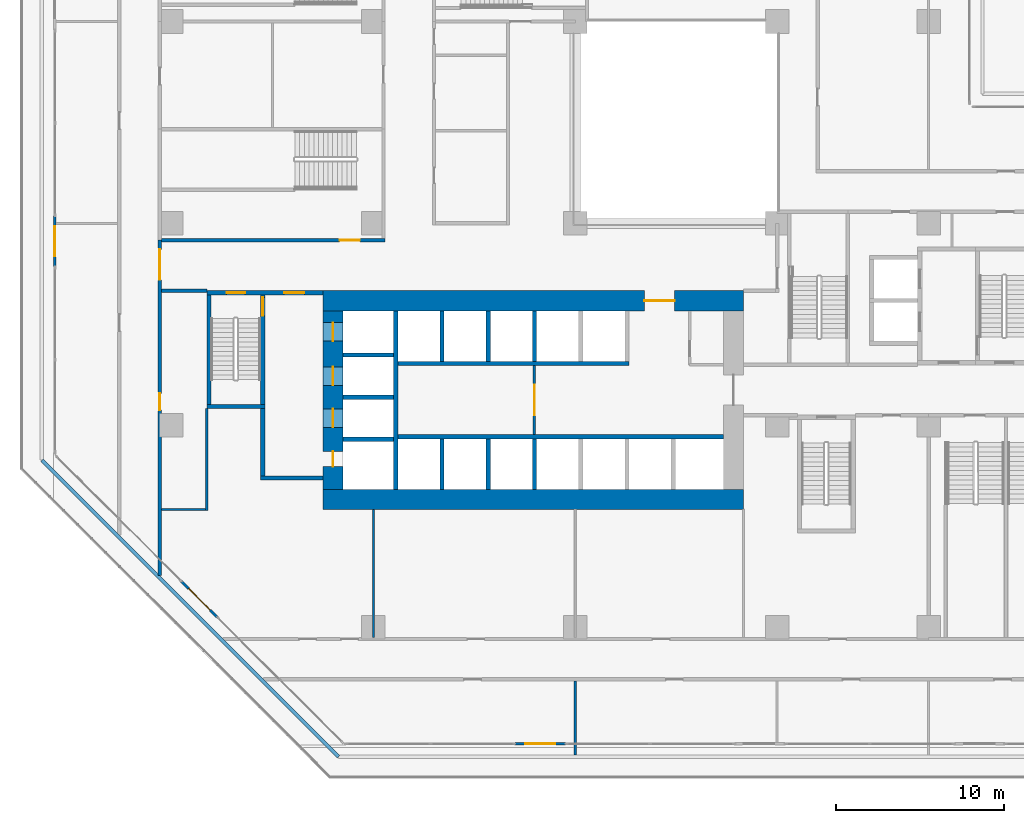
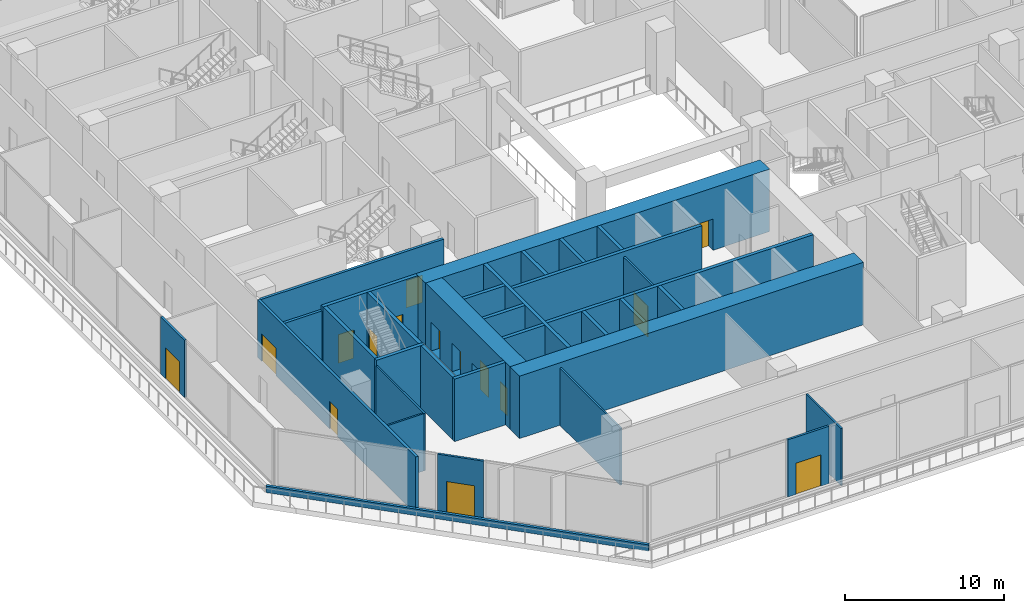
# One storey, part 11 of 25: 33 walls, 15 doors, 15 openings.
"""IFC4 building model written with IfcOpenShell, lengths in metres."""

from ifc_helpers import new_model, si_unit, direction, frame, frame_2d, origin, place, context, subcontext, project, spatial, rectangle, extrude, material, layer, layer_set, type_object, element, fill, save


model = new_model("IFC4")

# Units and contexts
model_context = context("Model", 3, precision=1e-05, world=origin(), true_north=direction((0.0, 1.0)))
body_context = subcontext(model_context, "Body", "Model", "MODEL_VIEW")
ifc_project = project(units=[si_unit("LENGTHUNIT", "METRE"), si_unit("AREAUNIT", "SQUARE_METRE"), si_unit("VOLUMEUNIT", "CUBIC_METRE"), si_unit("PLANEANGLEUNIT", "RADIAN"), si_unit("MASSUNIT", "GRAM", prefix="KILO")], contexts=[model_context])

# Site, building, storey
site_placement = place(None, origin())
site = spatial("IfcSite", under=ifc_project, at=site_placement, CompositionType="ELEMENT")
building_placement = place(site_placement, origin())
building = spatial("IfcBuilding", under=site, at=building_placement, Name="Chenar Terraces", CompositionType="ELEMENT")
storey_placement = place(building_placement, frame((0.0, 0.0, 21.60009765625)))
storey = spatial("IfcBuildingStorey", under=building, at=storey_placement, Name="L04", CompositionType="ELEMENT", Elevation=21.60009765625)

# Walls
ifc_material_1 = material(Name="Gypsum board on steel studs with mineral wool", Category="steel")
ifc_layer_1 = layer(ifc_material_1, 0.125)
ifc_layer_set_1 = layer_set([ifc_layer_1], Name="Gypsum board on steel studs with mineral wool")
wall_type_1 = type_object("IfcWallType", Name="Acoustic partition 125", PredefinedType="PARTITIONING", material=ifc_layer_set_1)
wall_1_placement = place(storey_placement, frame((-0.60009765625, 7.0, 0.0), z_axis=(0.0, 0.0, 1.0), x_axis=(1.0, 0.0, 0.0)))
element("IfcWall", 1, at=wall_1_placement, inside=storey, type_object=wall_type_1, Name="Partition L04-016", PredefinedType="PARTITIONING", context=body_context, shape_type="SweptSolid", body=[
    extrude(rectangle(XDim=2.63818359375, YDim=0.125, at=frame_2d((1.319091796875, 0.0))), origin(), (0.0, 0.0, 1.0), 4.39990234375),
])
wall_2_placement = place(storey_placement, frame((2.10009765625, 6.93798828125, 0.0), z_axis=(0.0, 0.0, 1.0), x_axis=(0.0, 1.0, 0.0)))
element("IfcWall", 2, at=wall_2_placement, inside=storey, type_object=wall_type_1, Name="Partition L04-028", PredefinedType="PARTITIONING", context=body_context, shape_type="SweptSolid", body=[
    extrude(rectangle(XDim=6.06201171875, YDim=0.125, at=frame_2d((3.031005859375, 0.0))), origin(), (0.0, 0.0, 1.0), 4.39990234375),
])
wall_3_placement = place(storey_placement, frame((12.0, -0.60009765625, 0.0), z_axis=(0.0, 0.0, 1.0), x_axis=(0.0, 1.0, 0.0)))
element("IfcWall", 3, at=wall_3_placement, inside=storey, type_object=wall_type_1, Name="Partition L04-036", PredefinedType="PARTITIONING", context=body_context, shape_type="SweptSolid", body=[
    extrude(rectangle(XDim=7.60009765625, YDim=0.125, at=frame_2d((3.800048828125, 0.0))), origin(), (0.0, 0.0, 1.0), 4.39990234375),
])
wall_4_placement = place(storey_placement, frame((24.0, -7.60009765625, 0.0), z_axis=(0.0, 0.0, 1.0), x_axis=(0.0, 1.0, 0.0)))
element("IfcWall", 4, at=wall_4_placement, inside=storey, type_object=wall_type_1, Name="Partition L04-062", PredefinedType="PARTITIONING", context=body_context, shape_type="SweptSolid", body=[
    extrude(rectangle(XDim=4.400146484375, YDim=0.125, at=frame_2d((2.2001953125, 0.0))), origin(), (0.0, 0.0, 1.0), 4.39990234375),
])

# Wall, opening, door
ifc_material_2 = material(Name="Gypsum board on steel studs", Category="steel")
ifc_layer_2 = layer(ifc_material_2, 0.14990234375)
ifc_layer_set_2 = layer_set([ifc_layer_2], Name="Gypsum board on steel studs")
wall_type_2 = type_object("IfcWallType", Name="Core partition 150 gypsum board", PredefinedType="PARTITIONING", material=ifc_layer_set_2)
wall_5_placement = place(storey_placement, frame((21.574951171875, 11.449951171875, 0.0), z_axis=(0.0, 0.0, 1.0), x_axis=(0.0, 1.0, 0.0)))
wall_5 = element("IfcWall", 5, at=wall_5_placement, inside=storey, type_object=wall_type_2, Name="Core partition CP1 lift lobby smoke stop", PredefinedType="PARTITIONING", context=body_context, shape_type="SweptSolid", body=[
    extrude(rectangle(XDim=4.10009765625, YDim=0.14990234375, at=frame_2d((2.050048828125, 0.0))), origin(), (0.0, 0.0, 1.0), 4.39990234375),
])
opening_1_placement = place(wall_5_placement, frame((1.14990234375, 0.0, 0.0)))
opening_1 = element("IfcOpeningElement", 6, at=opening_1_placement, cuts=wall_5, Name="Opening DL04-C12", PredefinedType="OPENING", context=body_context, shape_type="SweptSolid", body=[
    extrude(rectangle(XDim=1.800048828125, YDim=2.39990234375, at=frame_2d((0.89990234375, 1.199951171875))), frame((0.0, 0.0849609375, 0.0), z_axis=(0.0, -1.0, 0.0), x_axis=(1.0, 0.0, 0.0)), (0.0, 0.0, 1.0), 0.169921875),
])
ifc_material_3 = material(Name="Steel-framed fire-resisting door leaf", Category="steel")
door_type_1 = type_object("IfcDoorType", Name="Core entrance double fire door FD60 1800 x 2400", OperationType="DOUBLE_DOOR_SINGLE_SWING", PredefinedType="DOOR", material=ifc_material_3)
door_1_placement = place(opening_1_placement, frame((1.800048828125, 0.0, 0.0), z_axis=(0.0, 0.0, 1.0), x_axis=(-1.0, 0.0, 0.0)))
door_1 = element("IfcDoor", 7, at=door_1_placement, inside=storey, type_object=door_type_1, Name="Core door DL04-C12", OperationType="DOUBLE_DOOR_SINGLE_SWING", OverallHeight=2.39990234375, OverallWidth=1.800048828125, PredefinedType="DOOR", context=body_context, shape_type="SweptSolid", body=[
    extrude(rectangle(XDim=1.800048828125, YDim=2.39990234375, at=frame_2d((0.89990234375, 1.199951171875))), frame((0.0, 0.02490234375, 0.0), z_axis=(0.0, -1.0, 0.0), x_axis=(1.0, 0.0, 0.0)), (0.0, 0.0, 1.0), 0.050048828125),
])
fill(opening_1, door_1)

# Wall
ifc_material_4 = material(Name="Concrete C70/85", Category="concrete")
ifc_layer_3 = layer(ifc_material_4, 1.199951171875)
ifc_layer_set_3 = layer_set([ifc_layer_3], Name="Concrete C70/85")
wall_type_3 = type_object("IfcWallType", Name="Core wall 1200 Concrete C70/85", PredefinedType="SHEAR", material=ifc_layer_set_3)
wall_6_placement = place(storey_placement, frame((9.0, 7.60009765625, 0.0), z_axis=(0.0, 0.0, 1.0), x_axis=(1.0, 0.0, 0.0)))
element("IfcWall", 8, at=wall_6_placement, inside=storey, type_object=wall_type_3, Name="Core wall S L04", PredefinedType="SHEAR", context=body_context, shape_type="SweptSolid", body=[
    extrude(rectangle(XDim=25.0, YDim=1.199951171875, at=frame_2d((12.5, 0.0))), origin(), (0.0, 0.0, 1.0), 4.7998046875),
])

# Wall, opening, door
wall_7_placement = place(storey_placement, frame((9.0, 19.39990234375, 0.0), z_axis=(0.0, 0.0, 1.0), x_axis=(1.0, 0.0, 0.0)))
wall_7 = element("IfcWall", 9, at=wall_7_placement, inside=storey, type_object=wall_type_3, Name="Core wall N L04", PredefinedType="SHEAR", context=body_context, shape_type="SweptSolid", body=[
    extrude(rectangle(XDim=25.0, YDim=1.199951171875, at=frame_2d((12.5, 0.0))), origin(), (0.0, 0.0, 1.0), 4.7998046875),
])
opening_2_placement = place(wall_7_placement, frame((19.10009765625, 0.0, 0.0)))
opening_2 = element("IfcOpeningElement", 10, at=opening_2_placement, cuts=wall_7, Name="Opening DL04-C2", PredefinedType="OPENING", context=body_context, shape_type="SweptSolid", body=[
    extrude(rectangle(XDim=1.800048828125, YDim=2.39990234375, at=frame_2d((0.89990234375, 1.199951171875))), frame((0.0, 0.60986328125, 0.0), z_axis=(0.0, -1.0, 0.0), x_axis=(1.0, 0.0, 0.0)), (0.0, 0.0, 1.0), 1.219970703125),
])
door_2_placement = place(opening_2_placement, frame((1.800048828125, 0.0, 0.0), z_axis=(0.0, 0.0, 1.0), x_axis=(-1.0, 0.0, 0.0)))
door_2 = element("IfcDoor", 11, at=door_2_placement, inside=storey, type_object=door_type_1, Name="Core door DL04-C2", OperationType="DOUBLE_DOOR_SINGLE_SWING", OverallHeight=2.39990234375, OverallWidth=1.800048828125, PredefinedType="DOOR", context=body_context, shape_type="SweptSolid", body=[
    extrude(rectangle(XDim=1.800048828125, YDim=2.39990234375, at=frame_2d((0.89990234375, 1.199951171875))), frame((0.0, 0.02490234375, 0.0), z_axis=(0.0, -1.0, 0.0), x_axis=(1.0, 0.0, 0.0)), (0.0, 0.0, 1.0), 0.050048828125),
])
fill(opening_2, door_2)

# Wall, openings, doors
wall_8_placement = place(storey_placement, frame((9.60009765625, 8.199951171875, 0.0), z_axis=(0.0, 0.0, 1.0), x_axis=(0.0, 1.0, 0.0)))
wall_8 = element("IfcWall", 12, at=wall_8_placement, inside=storey, type_object=wall_type_3, Name="Core wall W L04", PredefinedType="SHEAR", context=body_context, shape_type="SweptSolid", body=[
    extrude(rectangle(XDim=10.60009765625, YDim=1.199951171875, at=frame_2d((5.300048828125, 0.0))), origin(), (0.0, 0.0, 1.0), 4.7998046875),
])
opening_3_placement = place(wall_8_placement, frame((3.675048828125, 0.0, 0.0)))
opening_3 = element("IfcOpeningElement", 13, at=opening_3_placement, cuts=wall_8, Name="Opening DL04-LD1", PredefinedType="OPENING", context=body_context, shape_type="SweptSolid", body=[
    extrude(rectangle(XDim=1.10009765625, YDim=2.199951171875, at=frame_2d((0.550048828125, 1.10009765625))), frame((0.0, 0.60986328125, 0.0), z_axis=(0.0, -1.0, 0.0), x_axis=(1.0, 0.0, 0.0)), (0.0, 0.0, 1.0), 1.219970703125),
])
opening_4_placement = place(wall_8_placement, frame((6.175048828125, 0.0, 0.0)))
opening_4 = element("IfcOpeningElement", 14, at=opening_4_placement, cuts=wall_8, Name="Opening DL04-LD2", PredefinedType="OPENING", context=body_context, shape_type="SweptSolid", body=[
    extrude(rectangle(XDim=1.10009765625, YDim=2.199951171875, at=frame_2d((0.550048828125, 1.10009765625))), frame((0.0, 0.60986328125, 0.0), z_axis=(0.0, -1.0, 0.0), x_axis=(1.0, 0.0, 0.0)), (0.0, 0.0, 1.0), 1.219970703125),
])
opening_5_placement = place(wall_8_placement, frame((8.800048828125, 0.0, 0.0)))
opening_5 = element("IfcOpeningElement", 15, at=opening_5_placement, cuts=wall_8, Name="Opening DL04-LD3", PredefinedType="OPENING", context=body_context, shape_type="SweptSolid", body=[
    extrude(rectangle(XDim=1.10009765625, YDim=2.199951171875, at=frame_2d((0.550048828125, 1.10009765625))), frame((0.0, 0.60986328125, 0.0), z_axis=(0.0, -1.0, 0.0), x_axis=(1.0, 0.0, 0.0)), (0.0, 0.0, 1.0), 1.219970703125),
])
opening_6_placement = place(wall_8_placement, frame((1.35009765625, 0.0, 0.0)))
opening_6 = element("IfcOpeningElement", 16, at=opening_6_placement, cuts=wall_8, Name="Opening DL04-C4", PredefinedType="OPENING", context=body_context, shape_type="SweptSolid", body=[
    extrude(rectangle(XDim=0.89990234375, YDim=2.10009765625, at=frame_2d((0.449951171875, 1.050048828125))), frame((0.0, 0.60986328125, 0.0), z_axis=(0.0, -1.0, 0.0), x_axis=(1.0, 0.0, 0.0)), (0.0, 0.0, 1.0), 1.219970703125),
])
ifc_material_5 = material(Name="Stainless steel", Category="steel")
door_type_2 = type_object("IfcDoorType", Name="Lift landing door 1100 x 2200 sliding", OperationType="DOUBLE_DOOR_SLIDING", PredefinedType="DOOR", material=ifc_material_5)
door_3_placement = place(opening_3_placement, origin())
door_3 = element("IfcDoor", 17, at=door_3_placement, inside=storey, type_object=door_type_2, Name="Landing door S1", OperationType="DOUBLE_DOOR_SLIDING", OverallHeight=2.199951171875, OverallWidth=1.10009765625, PredefinedType="DOOR", context=body_context, shape_type="SweptSolid", body=[
    extrude(rectangle(XDim=1.10009765625, YDim=2.199951171875, at=frame_2d((0.550048828125, 1.10009765625))), frame((0.0, 0.02490234375, 0.0), z_axis=(0.0, -1.0, 0.0), x_axis=(1.0, 0.0, 0.0)), (0.0, 0.0, 1.0), 0.050048828125),
])
fill(opening_3, door_3)
door_4_placement = place(opening_4_placement, origin())
door_4 = element("IfcDoor", 18, at=door_4_placement, inside=storey, type_object=door_type_2, Name="Landing door F1", OperationType="DOUBLE_DOOR_SLIDING", OverallHeight=2.199951171875, OverallWidth=1.10009765625, PredefinedType="DOOR", context=body_context, shape_type="SweptSolid", body=[
    extrude(rectangle(XDim=1.10009765625, YDim=2.199951171875, at=frame_2d((0.550048828125, 1.10009765625))), frame((0.0, 0.02490234375, 0.0), z_axis=(0.0, -1.0, 0.0), x_axis=(1.0, 0.0, 0.0)), (0.0, 0.0, 1.0), 0.050048828125),
])
fill(opening_4, door_4)
door_5_placement = place(opening_5_placement, origin())
door_5 = element("IfcDoor", 19, at=door_5_placement, inside=storey, type_object=door_type_2, Name="Landing door F2", OperationType="DOUBLE_DOOR_SLIDING", OverallHeight=2.199951171875, OverallWidth=1.10009765625, PredefinedType="DOOR", context=body_context, shape_type="SweptSolid", body=[
    extrude(rectangle(XDim=1.10009765625, YDim=2.199951171875, at=frame_2d((0.550048828125, 1.10009765625))), frame((0.0, 0.02490234375, 0.0), z_axis=(0.0, -1.0, 0.0), x_axis=(1.0, 0.0, 0.0)), (0.0, 0.0, 1.0), 0.050048828125),
])
fill(opening_5, door_5)
ifc_material_6 = material(Name="Steel-framed fire-resisting door leaf", Category="steel")
door_type_3 = type_object("IfcDoorType", Name="Riser fire door FD60 900 x 2100", OperationType="SINGLE_SWING_LEFT", PredefinedType="DOOR", material=ifc_material_6)
door_6_placement = place(opening_6_placement, frame((0.89990234375, 0.0, 0.0), z_axis=(0.0, 0.0, 1.0), x_axis=(-1.0, 0.0, 0.0)))
door_6 = element("IfcDoor", 20, at=door_6_placement, inside=storey, type_object=door_type_3, Name="Riser door DL04-C4", OperationType="SINGLE_SWING_RIGHT", OverallHeight=2.10009765625, OverallWidth=0.89990234375, PredefinedType="DOOR", context=body_context, shape_type="SweptSolid", body=[
    extrude(rectangle(XDim=0.89990234375, YDim=2.10009765625, at=frame_2d((0.449951171875, 1.050048828125))), frame((0.0, 0.02490234375, 0.0), z_axis=(0.0, -1.0, 0.0), x_axis=(1.0, 0.0, 0.0)), (0.0, 0.0, 1.0), 0.050048828125),
])
fill(opening_6, door_6)

# Walls
ifc_material_7 = material(Name="Concrete C70/85", Category="concrete")
ifc_layer_4 = layer(ifc_material_7, 0.25)
ifc_layer_set_4 = layer_set([ifc_layer_4], Name="Concrete C70/85")
wall_type_4 = type_object("IfcWallType", Name="Core wall 250 Concrete C70/85", PredefinedType="SHEAR", material=ifc_layer_set_4)
wall_9_placement = place(storey_placement, frame((13.324951171875, 8.199951171875, 0.0), z_axis=(0.0, 0.0, 1.0), x_axis=(0.0, 1.0, 0.0)))
element("IfcWall", 21, at=wall_9_placement, inside=storey, type_object=wall_type_4, Name="Core wall WI L04", PredefinedType="SHEAR", context=body_context, shape_type="SweptSolid", body=[
    extrude(rectangle(XDim=10.60009765625, YDim=0.25, at=frame_2d((5.300048828125, 0.0))), origin(), (0.0, 0.0, 1.0), 4.7998046875),
])
wall_10_placement = place(storey_placement, frame((13.449951171875, 11.324951171875, 0.0), z_axis=(0.0, 0.0, 1.0), x_axis=(1.0, 0.0, 0.0)))
element("IfcWall", 22, at=wall_10_placement, inside=storey, type_object=wall_type_4, Name="Core wall SF L04", PredefinedType="SHEAR", context=body_context, shape_type="SweptSolid", body=[
    extrude(rectangle(XDim=19.35009765625, YDim=0.25, at=frame_2d((9.675048828125, 0.0))), origin(), (0.0, 0.0, 1.0), 4.7998046875),
])
wall_11_placement = place(storey_placement, frame((13.449951171875, 15.675048828125, 0.0), z_axis=(0.0, 0.0, 1.0), x_axis=(1.0, 0.0, 0.0)))
element("IfcWall", 23, at=wall_11_placement, inside=storey, type_object=wall_type_4, Name="Core wall NF L04", PredefinedType="SHEAR", context=body_context, shape_type="SweptSolid", body=[
    extrude(rectangle(XDim=13.75, YDim=0.25, at=frame_2d((6.875, 0.0))), origin(), (0.0, 0.0, 1.0), 4.7998046875),
])
for number, where, z_axis, x_axis, name in (
    (24, (10.199951171875, 11.175048828125, 0.0), (0.0, 0.0, 1.0), (1.0, 0.0, 0.0), "Core wall HW0 L04"),
    (25, (10.199951171875, 13.675048828125, 0.0), (0.0, 0.0, 1.0), (1.0, 0.0, 0.0), "Core wall HW1 L04"),
    (26, (10.199951171875, 16.175048828125, 0.0), (0.0, 0.0, 1.0), (1.0, 0.0, 0.0), "Core wall HW2 L04"),
    (27, (16.074951171875, 8.199951171875, 0.0), (0.0, 0.0, 1.0), (0.0, 1.0, 0.0), "Core wall SS0 L04"),
    (28, (18.824951171875, 8.199951171875, 0.0), (0.0, 0.0, 1.0), (0.0, 1.0, 0.0), "Core wall SS1 L04"),
    (29, (21.574951171875, 8.199951171875, 0.0), (0.0, 0.0, 1.0), (0.0, 1.0, 0.0), "Core wall SS2 L04"),
    (30, (16.074951171875, 15.800048828125, 0.0), (0.0, 0.0, 1.0), (0.0, 1.0, 0.0), "Core wall NS0 L04"),
    (31, (18.824951171875, 15.800048828125, 0.0), (0.0, 0.0, 1.0), (0.0, 1.0, 0.0), "Core wall NS1 L04"),
    (32, (21.574951171875, 15.800048828125, 0.0), (0.0, 0.0, 1.0), (0.0, 1.0, 0.0), "Core wall NS2 L04"),
):
    element("IfcWall", number, at=place(storey_placement, frame(where, z_axis=z_axis, x_axis=x_axis)), inside=storey, type_object=wall_type_4, Name=name, PredefinedType="SHEAR", context=body_context, shape_type="SweptSolid", body=[
        extrude(rectangle(XDim=3.0, YDim=0.25, at=frame_2d((1.5, 0.0))), origin(), (0.0, 0.0, 1.0), 4.7998046875),
    ])

# Wall, openings, doors
wall_12_placement = place(storey_placement, frame((2.10009765625, 19.875, 0.0), z_axis=(0.0, 0.0, 1.0), x_axis=(1.0, 0.0, 0.0)))
wall_12 = element("IfcWall", 33, at=wall_12_placement, inside=storey, type_object=wall_type_4, Name="Core wall A_N L04", PredefinedType="SHEAR", context=body_context, shape_type="SweptSolid", body=[
    extrude(rectangle(XDim=6.89990234375, YDim=0.25, at=frame_2d((3.449951171875, 0.0))), origin(), (0.0, 0.0, 1.0), 4.7998046875),
])
opening_7_placement = place(wall_12_placement, frame((1.175048828125, 0.0, 0.0)))
opening_7 = element("IfcOpeningElement", 34, at=opening_7_placement, cuts=wall_12, Name="Opening DL04-C5", PredefinedType="OPENING", context=body_context, shape_type="SweptSolid", body=[
    extrude(rectangle(XDim=1.10009765625, YDim=2.199951171875, at=frame_2d((0.550048828125, 1.10009765625))), frame((0.0, 0.135009765625, 0.0), z_axis=(0.0, -1.0, 0.0), x_axis=(1.0, 0.0, 0.0)), (0.0, 0.0, 1.0), 0.27001953125),
])
opening_8_placement = place(wall_12_placement, frame((4.60009765625, 0.0, 0.0)))
opening_8 = element("IfcOpeningElement", 35, at=opening_8_placement, cuts=wall_12, Name="Opening DL04-C6", PredefinedType="OPENING", context=body_context, shape_type="SweptSolid", body=[
    extrude(rectangle(XDim=1.199951171875, YDim=2.199951171875, at=frame_2d((0.60009765625, 1.10009765625))), frame((0.0, 0.135009765625, 0.0), z_axis=(0.0, -1.0, 0.0), x_axis=(1.0, 0.0, 0.0)), (0.0, 0.0, 1.0), 0.27001953125),
])
ifc_material_8 = material(Name="Steel-framed fire-resisting door leaf", Category="steel")
door_type_4 = type_object("IfcDoorType", Name="Lobby fire door FD60 1200 x 2200", OperationType="SINGLE_SWING_LEFT", PredefinedType="DOOR", material=ifc_material_8)
door_7_placement = place(opening_8_placement, frame((1.199951171875, 0.0, 0.0), z_axis=(0.0, 0.0, 1.0), x_axis=(-1.0, 0.0, 0.0)))
door_7 = element("IfcDoor", 36, at=door_7_placement, inside=storey, type_object=door_type_4, Name="Core door DL04-C6", OperationType="SINGLE_SWING_LEFT", OverallHeight=2.199951171875, OverallWidth=1.199951171875, PredefinedType="DOOR", context=body_context, shape_type="SweptSolid", body=[
    extrude(rectangle(XDim=1.199951171875, YDim=2.199951171875, at=frame_2d((0.60009765625, 1.10009765625))), frame((0.0, 0.02490234375, 0.0), z_axis=(0.0, -1.0, 0.0), x_axis=(1.0, 0.0, 0.0)), (0.0, 0.0, 1.0), 0.050048828125),
])
fill(opening_8, door_7)
ifc_material_9 = material(Name="Steel-framed fire-resisting door leaf", Category="steel")
door_type_5 = type_object("IfcDoorType", Name="Stair fire door FD60 1100 x 2200", OperationType="SINGLE_SWING_LEFT", PredefinedType="DOOR", material=ifc_material_9)
door_8_placement = place(opening_7_placement, origin())
door_8 = element("IfcDoor", 37, at=door_8_placement, inside=storey, type_object=door_type_5, Name="Stair door DL04-C5", OperationType="SINGLE_SWING_LEFT", OverallHeight=2.199951171875, OverallWidth=1.10009765625, PredefinedType="DOOR", context=body_context, shape_type="SweptSolid", body=[
    extrude(rectangle(XDim=1.10009765625, YDim=2.199951171875, at=frame_2d((0.550048828125, 1.10009765625))), frame((0.0, 0.02490234375, 0.0), z_axis=(0.0, -1.0, 0.0), x_axis=(1.0, 0.0, 0.0)), (0.0, 0.0, 1.0), 0.050048828125),
])
fill(opening_7, door_8)

# Walls
wall_13_placement = place(storey_placement, frame((2.10009765625, 13.125, 0.0), z_axis=(0.0, 0.0, 1.0), x_axis=(1.0, 0.0, 0.0)))
element("IfcWall", 38, at=wall_13_placement, inside=storey, type_object=wall_type_4, Name="Core wall ST1_S L04", PredefinedType="SHEAR", context=body_context, shape_type="SweptSolid", body=[
    extrude(rectangle(XDim=3.449951171875, YDim=0.25, at=frame_2d((1.72509765625, 0.0))), origin(), (0.0, 0.0, 1.0), 4.7998046875),
])
wall_14_placement = place(storey_placement, frame((2.22509765625, 13.25, 0.0), z_axis=(0.0, 0.0, 1.0), x_axis=(0.0, 1.0, 0.0)))
element("IfcWall", 39, at=wall_14_placement, inside=storey, type_object=wall_type_4, Name="Core wall ST1_W L04", PredefinedType="SHEAR", context=body_context, shape_type="SweptSolid", body=[
    extrude(rectangle(XDim=6.5, YDim=0.25, at=frame_2d((3.25, 0.0))), origin(), (0.0, 0.0, 1.0), 4.7998046875),
])

# Wall, opening, door
wall_15_placement = place(storey_placement, frame((5.425048828125, 13.25, 0.0), z_axis=(0.0, 0.0, 1.0), x_axis=(0.0, 1.0, 0.0)))
wall_15 = element("IfcWall", 40, at=wall_15_placement, inside=storey, type_object=wall_type_4, Name="Core wall ST1_E L04", PredefinedType="SHEAR", context=body_context, shape_type="SweptSolid", body=[
    extrude(rectangle(XDim=6.5, YDim=0.25, at=frame_2d((3.25, 0.0))), origin(), (0.0, 0.0, 1.0), 4.7998046875),
])
opening_9_placement = place(wall_15_placement, frame((5.25, 0.0, 0.0)))
opening_9 = element("IfcOpeningElement", 41, at=opening_9_placement, cuts=wall_15, Name="Opening DL04-C3", PredefinedType="OPENING", context=body_context, shape_type="SweptSolid", body=[
    extrude(rectangle(XDim=1.10009765625, YDim=2.199951171875, at=frame_2d((0.550048828125, 1.10009765625))), frame((0.0, 0.135009765625, 0.0), z_axis=(0.0, -1.0, 0.0), x_axis=(1.0, 0.0, 0.0)), (0.0, 0.0, 1.0), 0.27001953125),
])
door_9_placement = place(opening_9_placement, origin())
door_9 = element("IfcDoor", 42, at=door_9_placement, inside=storey, type_object=door_type_5, Name="Stair door DL04-C3", OperationType="SINGLE_SWING_RIGHT", OverallHeight=2.199951171875, OverallWidth=1.10009765625, PredefinedType="DOOR", context=body_context, shape_type="SweptSolid", body=[
    extrude(rectangle(XDim=1.10009765625, YDim=2.199951171875, at=frame_2d((0.550048828125, 1.10009765625))), frame((0.0, 0.02490234375, 0.0), z_axis=(0.0, -1.0, 0.0), x_axis=(1.0, 0.0, 0.0)), (0.0, 0.0, 1.0), 0.050048828125),
])
fill(opening_9, door_9)

# Walls
wall_16_placement = place(storey_placement, frame((5.300048828125, 8.875, 0.0), z_axis=(0.0, 0.0, 1.0), x_axis=(1.0, 0.0, 0.0)))
element("IfcWall", 43, at=wall_16_placement, inside=storey, type_object=wall_type_4, Name="Core wall FFL_S L04", PredefinedType="SHEAR", context=body_context, shape_type="SweptSolid", body=[
    extrude(rectangle(XDim=3.699951171875, YDim=0.25, at=frame_2d((1.85009765625, 0.0))), origin(), (0.0, 0.0, 1.0), 4.7998046875),
])
wall_17_placement = place(storey_placement, frame((5.425048828125, 9.0, 0.0), z_axis=(0.0, 0.0, 1.0), x_axis=(0.0, 1.0, 0.0)))
element("IfcWall", 44, at=wall_17_placement, inside=storey, type_object=wall_type_4, Name="Core wall FFL_W L04", PredefinedType="SHEAR", context=body_context, shape_type="SweptSolid", body=[
    extrude(rectangle(XDim=4.0, YDim=0.25, at=frame_2d((2.0, 0.0))), origin(), (0.0, 0.0, 1.0), 4.7998046875),
])

# Wall, openings, doors
ifc_material_10 = material(Name="Gypsum board on steel studs with fire boards", Category="steel")
ifc_layer_5 = layer(ifc_material_10, 0.199951171875)
ifc_layer_set_5 = layer_set([ifc_layer_5], Name="Gypsum board on steel studs with fire boards")
wall_type_5 = type_object("IfcWallType", Name="Corridor wall 200", PredefinedType="PARTITIONING", material=ifc_layer_set_5)
wall_18_placement = place(storey_placement, frame((-0.699951171875, 3.0732421875, 0.0), z_axis=(0.0, 0.0, 1.0), x_axis=(0.0, 1.0, 0.0)))
wall_18 = element("IfcWall", 45, at=wall_18_placement, inside=storey, type_object=wall_type_5, Name="Partition L04-007", PredefinedType="PARTITIONING", context=body_context, shape_type="SweptSolid", body=[
    extrude(rectangle(XDim=19.9267578125, YDim=0.199951171875, at=frame_2d((9.96337890625, 0.0))), origin(), (0.0, 0.0, 1.0), 4.39990234375),
])
opening_10_placement = place(wall_18_placement, frame((17.576904296875, 0.0, 0.0)))
opening_10 = element("IfcOpeningElement", 46, at=opening_10_placement, cuts=wall_18, Name="Opening DL04-32", PredefinedType="OPENING", context=body_context, shape_type="SweptSolid", body=[
    extrude(rectangle(XDim=1.800048828125, YDim=2.10009765625, at=frame_2d((0.89990234375, 1.050048828125))), frame((0.0, 0.10986328125, 0.0), z_axis=(0.0, -1.0, 0.0), x_axis=(1.0, 0.0, 0.0)), (0.0, 0.0, 1.0), 0.219970703125),
])
opening_11_placement = place(wall_18_placement, frame((9.826904296875, 0.0, 0.0)))
opening_11 = element("IfcOpeningElement", 47, at=opening_11_placement, cuts=wall_18, Name="Opening DL04-34", PredefinedType="OPENING", context=body_context, shape_type="SweptSolid", body=[
    extrude(rectangle(XDim=1.0, YDim=2.10009765625, at=frame_2d((0.5, 1.050048828125))), frame((0.0, 0.10986328125, 0.0), z_axis=(0.0, -1.0, 0.0), x_axis=(1.0, 0.0, 0.0)), (0.0, 0.0, 1.0), 0.219970703125),
])
ifc_material_11 = material(Name="Steel-framed fire-resisting door leaf", Category="steel")
door_type_6 = type_object("IfcDoorType", Name="Fire door FD60 1000 x 2100", OperationType="SINGLE_SWING_LEFT", PredefinedType="DOOR", material=ifc_material_11)
door_10_placement = place(opening_11_placement, frame((1.0, 0.0, 0.0), z_axis=(0.0, 0.0, 1.0), x_axis=(-1.0, 0.0, 0.0)))
door_10 = element("IfcDoor", 48, at=door_10_placement, inside=storey, type_object=door_type_6, Name="Door DL04-34", OperationType="SINGLE_SWING_RIGHT", OverallHeight=2.10009765625, OverallWidth=1.0, PredefinedType="DOOR", context=body_context, shape_type="SweptSolid", body=[
    extrude(rectangle(XDim=1.0, YDim=2.10009765625, at=frame_2d((0.5, 1.050048828125))), frame((0.0, 0.02490234375, 0.0), z_axis=(0.0, -1.0, 0.0), x_axis=(1.0, 0.0, 0.0)), (0.0, 0.0, 1.0), 0.050048828125),
])
fill(opening_11, door_10)
ifc_material_12 = material(Name="Steel-framed fire-resisting door leaf", Category="steel")
door_type_7 = type_object("IfcDoorType", Name="Fire double door FD60 1800 x 2100", OperationType="DOUBLE_DOOR_SINGLE_SWING", PredefinedType="DOOR", material=ifc_material_12)
door_11_placement = place(opening_10_placement, origin())
door_11 = element("IfcDoor", 49, at=door_11_placement, inside=storey, type_object=door_type_7, Name="Door DL04-32", OperationType="DOUBLE_DOOR_SINGLE_SWING", OverallHeight=2.10009765625, OverallWidth=1.800048828125, PredefinedType="DOOR", context=body_context, shape_type="SweptSolid", body=[
    extrude(rectangle(XDim=1.800048828125, YDim=2.10009765625, at=frame_2d((0.89990234375, 1.050048828125))), frame((0.0, 0.02490234375, 0.0), z_axis=(0.0, -1.0, 0.0), x_axis=(1.0, 0.0, 0.0)), (0.0, 0.0, 1.0), 0.050048828125),
])
fill(opening_10, door_11)

# Wall
wall_19_placement = place(storey_placement, frame((-0.60009765625, 20.0, 0.0), z_axis=(0.0, 0.0, 1.0), x_axis=(1.0, 0.0, 0.0)))
element("IfcWall", 50, at=wall_19_placement, inside=storey, type_object=wall_type_5, Name="Partition L04-017", PredefinedType="PARTITIONING", context=body_context, shape_type="SweptSolid", body=[
    extrude(rectangle(XDim=2.7001953125, YDim=0.199951171875, at=frame_2d((1.35009765625, 0.0))), origin(), (0.0, 0.0, 1.0), 4.39990234375),
])

# Wall, opening, door
ifc_material_13 = material(Name="Aluminium framed glazing", Category="aluminium")
ifc_layer_6 = layer(ifc_material_13, 0.14990234375)
ifc_layer_set_6 = layer_set([ifc_layer_6], Name="Aluminium framed glazing")
wall_type_6 = type_object("IfcWallType", Name="Podium glazed wall 150", PredefinedType="SOLIDWALL", material=ifc_layer_set_6)
wall_20_placement = place(storey_placement, frame((-6.925048828125, 24.435791015625, 0.0), z_axis=(0.0, 0.0, 1.0), x_axis=(0.0, -1.0, 0.0)))
wall_20 = element("IfcWall", 51, at=wall_20_placement, inside=storey, type_object=wall_type_6, Name="Podium glazed wall", PredefinedType="SOLIDWALL", context=body_context, shape_type="SweptSolid", body=[
    extrude(rectangle(XDim=3.0, YDim=0.14990234375, at=frame_2d((1.5, 0.0))), origin(), (0.0, 0.0, 1.0), 4.39990234375),
])
opening_12_placement = place(wall_20_placement, frame((0.60009765625, 0.0, 0.0)))
opening_12 = element("IfcOpeningElement", 52, at=opening_12_placement, cuts=wall_20, Name="Opening DL04-T3", PredefinedType="OPENING", context=body_context, shape_type="SweptSolid", body=[
    extrude(rectangle(XDim=1.800048828125, YDim=2.39990234375, at=frame_2d((0.89990234375, 1.199951171875))), frame((0.0, 0.0849609375, 0.0), z_axis=(0.0, -1.0, 0.0), x_axis=(1.0, 0.0, 0.0)), (0.0, 0.0, 1.0), 0.169921875),
])
ifc_material_14 = material(Name="Low emissivity double glazing, aluminium frame", Category="aluminium")
door_type_8 = type_object("IfcDoorType", Name="Terrace glazed double door 1800 x 2400", OperationType="DOUBLE_DOOR_SINGLE_SWING", PredefinedType="DOOR", material=ifc_material_14)
door_12_placement = place(opening_12_placement, origin())
door_12 = element("IfcDoor", 53, at=door_12_placement, inside=storey, type_object=door_type_8, Name="Terrace glazed door", OperationType="DOUBLE_DOOR_SINGLE_SWING", OverallHeight=2.39990234375, OverallWidth=1.800048828125, PredefinedType="DOOR", context=body_context, shape_type="SweptSolid", body=[
    extrude(rectangle(XDim=1.800048828125, YDim=2.39990234375, at=frame_2d((0.89990234375, 1.199951171875))), frame((0.0, 0.02490234375, 0.0), z_axis=(0.0, -1.0, 0.0), x_axis=(1.0, 0.0, 0.0)), (0.0, 0.0, 1.0), 0.050048828125),
])
fill(opening_12, door_12)

wall_21_placement = place(storey_placement, frame((0.603271484375, 2.724609375, 0.0), z_axis=(0.0, 0.0, 1.0), x_axis=(0.707106781187, -0.707106781187, 0.0)))
wall_21 = element("IfcWall", 54, at=wall_21_placement, inside=storey, type_object=wall_type_6, Name="Podium glazed wall", PredefinedType="SOLIDWALL", context=body_context, shape_type="SweptSolid", body=[
    extrude(rectangle(XDim=3.0, YDim=0.14990234375, at=frame_2d((1.5, 0.0))), origin(), (0.0, 0.0, 1.0), 4.39990234375),
])
opening_13_placement = place(wall_21_placement, frame((0.60009765625, 0.0, 0.0)))
opening_13 = element("IfcOpeningElement", 55, at=opening_13_placement, cuts=wall_21, Name="Opening DL04-T1", PredefinedType="OPENING", context=body_context, shape_type="SweptSolid", body=[
    extrude(rectangle(XDim=1.800048828125, YDim=2.39990234375, at=frame_2d((0.89990234375, 1.199951171875))), frame((0.0, 0.0849609375, 0.0), z_axis=(0.0, -1.0, 0.0), x_axis=(1.0, 0.0, 0.0)), (0.0, 0.0, 1.0), 0.169921875),
])
door_13_placement = place(opening_13_placement, frame((1.800048828125, 0.0, 0.0), z_axis=(0.0, 0.0, 1.0), x_axis=(-1.0, 0.0, 0.0)))
door_13 = element("IfcDoor", 56, at=door_13_placement, inside=storey, type_object=door_type_8, Name="Terrace glazed door", OperationType="DOUBLE_DOOR_SINGLE_SWING", OverallHeight=2.39990234375, OverallWidth=1.800048828125, PredefinedType="DOOR", context=body_context, shape_type="SweptSolid", body=[
    extrude(rectangle(XDim=1.800048828125, YDim=2.39990234375, at=frame_2d((0.89990234375, 1.199951171875))), frame((0.0, 0.02490234375, 0.0), z_axis=(0.0, -1.0, 0.0), x_axis=(1.0, 0.0, 0.0)), (0.0, 0.0, 1.0), 0.050048828125),
])
fill(opening_13, door_13)

wall_22_placement = place(storey_placement, frame((20.423095703125, -6.925048828125, 0.0), z_axis=(0.0, 0.0, 1.0), x_axis=(1.0, 0.0, 0.0)))
wall_22 = element("IfcWall", 57, at=wall_22_placement, inside=storey, type_object=wall_type_6, Name="Podium glazed wall", PredefinedType="SOLIDWALL", context=body_context, shape_type="SweptSolid", body=[
    extrude(rectangle(XDim=3.0, YDim=0.14990234375, at=frame_2d((1.5, 0.0))), origin(), (0.0, 0.0, 1.0), 4.39990234375),
])
opening_14_placement = place(wall_22_placement, frame((0.60009765625, 0.0, 0.0)))
opening_14 = element("IfcOpeningElement", 58, at=opening_14_placement, cuts=wall_22, Name="Opening DL04-T1", PredefinedType="OPENING", context=body_context, shape_type="SweptSolid", body=[
    extrude(rectangle(XDim=1.800048828125, YDim=2.39990234375, at=frame_2d((0.89990234375, 1.199951171875))), frame((0.0, 0.0849609375, 0.0), z_axis=(0.0, -1.0, 0.0), x_axis=(1.0, 0.0, 0.0)), (0.0, 0.0, 1.0), 0.169921875),
])
door_14_placement = place(opening_14_placement, origin())
door_14 = element("IfcDoor", 59, at=door_14_placement, inside=storey, type_object=door_type_8, Name="Terrace glazed door", OperationType="DOUBLE_DOOR_SINGLE_SWING", OverallHeight=2.39990234375, OverallWidth=1.800048828125, PredefinedType="DOOR", context=body_context, shape_type="SweptSolid", body=[
    extrude(rectangle(XDim=1.800048828125, YDim=2.39990234375, at=frame_2d((0.89990234375, 1.199951171875))), frame((0.0, 0.02490234375, 0.0), z_axis=(0.0, -1.0, 0.0), x_axis=(1.0, 0.0, 0.0)), (0.0, 0.0, 1.0), 0.050048828125),
])
fill(opening_14, door_14)

ifc_material_15 = material(Name="Reinforced concrete C40/50", Category="concrete")
ifc_layer_7 = layer(ifc_material_15, 0.199951171875)
ifc_layer_set_7 = layer_set([ifc_layer_7], Name="Reinforced concrete C40/50")
wall_type_7 = type_object("IfcWallType", Name="Stair enclosure wall 200 concrete", PredefinedType="SOLIDWALL", material=ifc_layer_set_7)
wall_23_placement = place(storey_placement, frame((-0.60009765625, 23.0, 0.0), z_axis=(0.0, 0.0, 1.0), x_axis=(1.0, 0.0, 0.0)))
wall_23 = element("IfcWall", 60, at=wall_23_placement, inside=storey, type_object=wall_type_7, Name="Stair enclosure wall L04-018", PredefinedType="SOLIDWALL", context=body_context, shape_type="SweptSolid", body=[
    extrude(rectangle(XDim=13.300048828125, YDim=0.199951171875, at=frame_2d((6.64990234375, 0.0))), origin(), (0.0, 0.0, 1.0), 4.39990234375),
])
opening_15_placement = place(wall_23_placement, frame((10.60009765625, 0.0, 0.0)))
opening_15 = element("IfcOpeningElement", 61, at=opening_15_placement, cuts=wall_23, Name="Opening DL04-58", PredefinedType="OPENING", context=body_context, shape_type="SweptSolid", body=[
    extrude(rectangle(XDim=1.199951171875, YDim=2.10009765625, at=frame_2d((0.60009765625, 1.050048828125))), frame((0.0, 0.10986328125, 0.0), z_axis=(0.0, -1.0, 0.0), x_axis=(1.0, 0.0, 0.0)), (0.0, 0.0, 1.0), 0.219970703125),
])
ifc_material_16 = material(Name="Steel-framed fire-resisting door leaf", Category="steel")
door_type_9 = type_object("IfcDoorType", Name="Fire door FD120 1200 x 2100", OperationType="SINGLE_SWING_LEFT", PredefinedType="DOOR", material=ifc_material_16)
door_15_placement = place(opening_15_placement, origin())
door_15 = element("IfcDoor", 62, at=door_15_placement, inside=storey, type_object=door_type_9, Name="Door DL04-58", OperationType="SINGLE_SWING_RIGHT", OverallHeight=2.10009765625, OverallWidth=1.199951171875, PredefinedType="DOOR", context=body_context, shape_type="SweptSolid", body=[
    extrude(rectangle(XDim=1.199951171875, YDim=2.10009765625, at=frame_2d((0.60009765625, 1.050048828125))), frame((0.0, 0.02490234375, 0.0), z_axis=(0.0, -1.0, 0.0), x_axis=(1.0, 0.0, 0.0)), (0.0, 0.0, 1.0), 0.050048828125),
])
fill(opening_15, door_15)

# Wall
ifc_material_17 = material(Name="Terracotta cladding on insulated backing", Category="masonry")
ifc_layer_8 = layer(ifc_material_17, 0.199951171875)
ifc_layer_set_8 = layer_set([ifc_layer_8], Name="Terracotta cladding on insulated backing")
wall_type_8 = type_object("IfcWallType", Name="Terrace parapet upstand 200", PredefinedType="PARAPET", material=ifc_layer_set_8)
wall_24_placement = place(storey_placement, frame((9.931884765625, -7.699951171875, 0.0), z_axis=(0.0, 0.0, 1.0), x_axis=(-0.707106781187, 0.707106781187, 0.0)))
element("IfcWall", 63, at=wall_24_placement, inside=storey, type_object=wall_type_8, Name="Terrace parapet", PredefinedType="PARAPET", context=body_context, shape_type="SweptSolid", body=[
    extrude(rectangle(XDim=24.935302734375, YDim=0.199951171875, at=frame_2d((12.4677734375, 0.0))), origin(), (0.0, 0.0, 1.0), 0.5),
])

save(model, "model.ifc")
